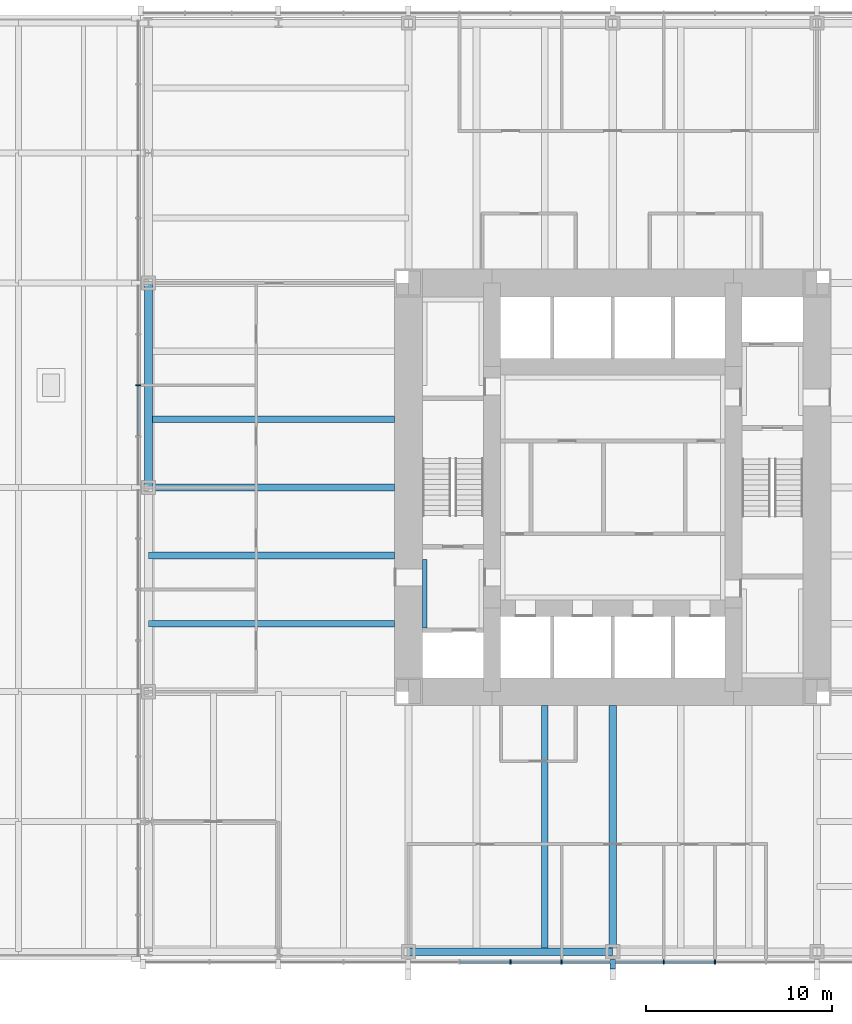
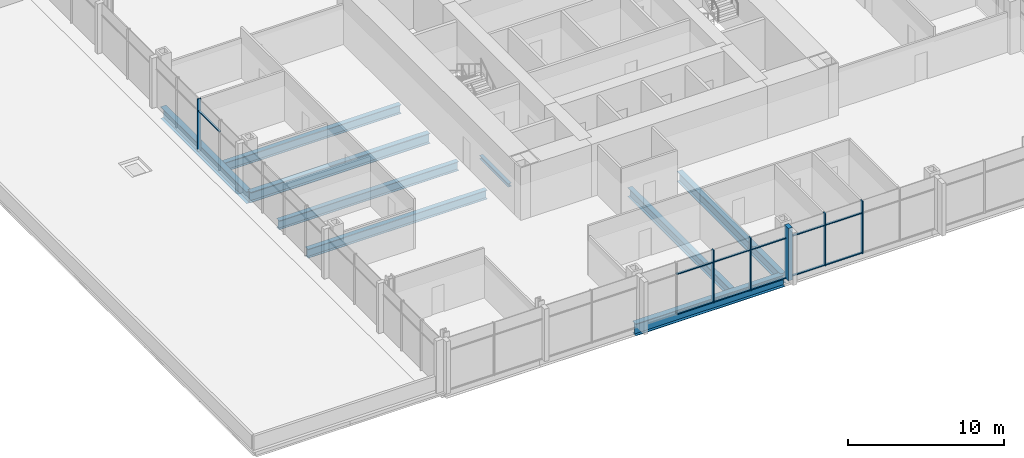
# One storey, part 3 of 15: 17 members, 9 beams, 2 elements without a shape of their own.
"""IFC4 building model written with IfcOpenShell, lengths in metres."""

from ifc_helpers import new_model, si_unit, direction, frame, origin, origin_2d, place, context, subcontext, project, spatial, rectangle, i_section, extrude, material, material_profile, profile_set, type_object, element, aggregate, save


model = new_model("IFC4")

# Units and contexts
model_context = context("Model", 3, precision=1e-05, world=origin(), true_north=direction((0.0, 1.0)))
body_context = subcontext(model_context, "Body", "Model", "MODEL_VIEW")
ifc_project = project(units=[si_unit("LENGTHUNIT", "METRE"), si_unit("AREAUNIT", "SQUARE_METRE"), si_unit("VOLUMEUNIT", "CUBIC_METRE"), si_unit("PLANEANGLEUNIT", "RADIAN"), si_unit("MASSUNIT", "GRAM", prefix="KILO")], contexts=[model_context])

# Site, building, storey
site_placement = place(None, origin())
site = spatial("IfcSite", under=ifc_project, at=site_placement, CompositionType="ELEMENT")
building_placement = place(site_placement, origin())
building = spatial("IfcBuilding", under=site, at=building_placement, Name="Trevanion Tower", CompositionType="ELEMENT")
storey_placement = place(building_placement, frame((0.0, 0.0, 16.0)))
storey = spatial("IfcBuildingStorey", under=building, at=storey_placement, Name="L03", CompositionType="ELEMENT", Elevation=16.0)

# Beams
ifc_material_1 = material(Name="Steel ASTM A992 Grade 50", Category="steel")
ifc_material_profile_1 = material_profile(ifc_material_1, i_section(OverallWidth=0.355712890625, OverallDepth=0.700927734375, WebThickness=0.016845703125, FlangeThickness=0.02734375, at=origin_2d()), Name="W27X161")
ifc_profile_set_1 = profile_set([ifc_material_profile_1], Name="Steel ASTM A992 Grade 50")
beam_type_1 = type_object("IfcBeamType", Name="B1 W27X161", PredefinedType="BEAM", material=ifc_profile_set_1)
for number, where, z_axis, x_axis, name in (
    (1, (-11.75, 3.666748046875, -0.54052734375), (-1.0, 0.0, 0.0), (0.0, -1.0, 0.0), "B1 L03"),
    (2, (-11.75, -3.666748046875, -0.54052734375), (-1.0, 0.0, 0.0), (0.0, -1.0, 0.0), "B1 L03"),
    (3, (-11.75, -7.333251953125, -0.54052734375), (-1.0, 0.0, 0.0), (0.0, -1.0, 0.0), "B1 L03"),
    (4, (-3.666748046875, -11.75, -0.54052734375), (0.0, -1.0, 0.0), (1.0, 0.0, 0.0), "B1 L03"),
):
    element("IfcBeam", number, at=place(storey_placement, frame(where, z_axis=z_axis, x_axis=x_axis)), inside=storey, type_object=beam_type_1, Name=name, PredefinedType="BEAM", context=body_context, shape_type="SweptSolid", body=[
        extrude(i_section(OverallWidth=0.355712890625, OverallDepth=0.700927734375, WebThickness=0.016845703125, FlangeThickness=0.02734375, at=origin_2d()), origin(), (0.0, 0.0, 1.0), 13.25),
    ])

# Curtain wall, member
ifc_material_2 = material(Name="Aluminium and glass", Category="aluminium")
curtain_wall_type = type_object("IfcCurtainWallType", Name="CW1 curtain wall", PredefinedType="USERDEFINED", material=ifc_material_2)
curtain_wall_1_placement = place(storey_placement, origin())
curtain_wall_1 = element("IfcCurtainWall", 5, at=curtain_wall_1_placement, inside=storey, type_object=curtain_wall_type, Name="CW1 L03 2", ObjectType="UNITISED CURTAIN WALL", PredefinedType="USERDEFINED")
ifc_material_3 = material(Name="Aluminium extrusion, anodised bronze", Category="aluminium")
ifc_material_profile_2 = material_profile(ifc_material_3, rectangle(XDim=0.074951171875, YDim=0.25, at=origin_2d()), Name="CW1 mullion")
ifc_profile_set_2 = profile_set([ifc_material_profile_2], Name="Aluminium extrusion, anodised bronze")
member_type_1 = type_object("IfcMemberType", Name="CW1 mullion", PredefinedType="MULLION", material=ifc_profile_set_2)
member_1_placement = place(storey_placement, frame((-25.550048828125, 5.5, -0.18994140625), z_axis=(0.0, 0.0, 1.0), x_axis=(0.0, -1.0, 0.0)))
member_1 = element("IfcMember", 6, at=member_1_placement, type_object=member_type_1, Name="CW1 mullion 7", PredefinedType="MULLION", context=body_context, shape_type="SweptSolid", body=[
    extrude(rectangle(XDim=0.074951171875, YDim=0.25, at=origin_2d()), origin(), (0.0, 0.0, 1.0), 4.099853515625),
])

# Curtain wall, members
curtain_wall_2_placement = place(storey_placement, origin())
curtain_wall_2 = element("IfcCurtainWall", 7, at=curtain_wall_2_placement, inside=storey, type_object=curtain_wall_type, Name="CW1 L03 3", ObjectType="UNITISED CURTAIN WALL", PredefinedType="USERDEFINED")
member_2_placement = place(storey_placement, frame((-5.5, -25.550048828125, -0.18994140625), z_axis=(0.0, 0.0, 1.0), x_axis=(1.0, 0.0, 0.0)))
member_2 = element("IfcMember", 8, at=member_2_placement, type_object=member_type_1, Name="CW1 mullion 7", PredefinedType="MULLION", context=body_context, shape_type="SweptSolid", body=[
    extrude(rectangle(XDim=0.074951171875, YDim=0.25, at=origin_2d()), origin(), (0.0, 0.0, 1.0), 4.099853515625),
])
member_3_placement = place(storey_placement, frame((-2.75, -25.550048828125, -0.18994140625), z_axis=(0.0, 0.0, 1.0), x_axis=(1.0, 0.0, 0.0)))
member_3 = element("IfcMember", 9, at=member_3_placement, type_object=member_type_1, Name="CW1 mullion 8", PredefinedType="MULLION", context=body_context, shape_type="SweptSolid", body=[
    extrude(rectangle(XDim=0.074951171875, YDim=0.25, at=origin_2d()), origin(), (0.0, 0.0, 1.0), 4.099853515625),
])
member_4_placement = place(storey_placement, frame((2.75, -25.550048828125, -0.18994140625), z_axis=(0.0, 0.0, 1.0), x_axis=(1.0, 0.0, 0.0)))
member_4 = element("IfcMember", 10, at=member_4_placement, type_object=member_type_1, Name="CW1 mullion 10", PredefinedType="MULLION", context=body_context, shape_type="SweptSolid", body=[
    extrude(rectangle(XDim=0.074951171875, YDim=0.25, at=origin_2d()), origin(), (0.0, 0.0, 1.0), 4.099853515625),
])
member_5_placement = place(storey_placement, frame((5.5, -25.550048828125, -0.18994140625), z_axis=(0.0, 0.0, 1.0), x_axis=(1.0, 0.0, 0.0)))
member_5 = element("IfcMember", 11, at=member_5_placement, type_object=member_type_1, Name="CW1 mullion 11", PredefinedType="MULLION", context=body_context, shape_type="SweptSolid", body=[
    extrude(rectangle(XDim=0.074951171875, YDim=0.25, at=origin_2d()), origin(), (0.0, 0.0, 1.0), 4.099853515625),
])
ifc_material_4 = material(Name="Aluminium extrusion, anodised bronze", Category="aluminium")
ifc_material_profile_3 = material_profile(ifc_material_4, rectangle(XDim=0.300048828125, YDim=0.5, at=origin_2d()), Name="CW1 pier mullion")
ifc_profile_set_3 = profile_set([ifc_material_profile_3], Name="Aluminium extrusion, anodised bronze")
member_type_2 = type_object("IfcMemberType", Name="CW1 pier mullion", PredefinedType="MULLION", material=ifc_profile_set_3)
member_6_placement = place(storey_placement, frame((0.0, -25.675048828125, -0.18994140625), z_axis=(0.0, 0.0, 1.0), x_axis=(1.0, 0.0, 0.0)))
member_6 = element("IfcMember", 12, at=member_6_placement, type_object=member_type_2, Name="CW1 pier mullion 9", PredefinedType="MULLION", context=body_context, shape_type="SweptSolid", body=[
    extrude(rectangle(XDim=0.300048828125, YDim=0.5, at=origin_2d()), origin(), (0.0, 0.0, 1.0), 4.099853515625),
])

# Member
ifc_material_5 = material(Name="Aluminium extrusion, anodised bronze", Category="aluminium")
ifc_material_profile_4 = material_profile(ifc_material_5, rectangle(XDim=0.14990234375, YDim=0.074951171875, at=origin_2d()), Name="CW1 transom")
ifc_profile_set_4 = profile_set([ifc_material_profile_4], Name="Aluminium extrusion, anodised bronze")
member_type_3 = type_object("IfcMemberType", Name="CW1 transom", PredefinedType="USERDEFINED", material=ifc_profile_set_4)
member_7_placement = place(storey_placement, frame((-25.550048828125, 5.46240234375, 2.9599609375), z_axis=(0.0, -1.0, 0.0), x_axis=(1.0, 0.0, 0.0)))
member_7 = element("IfcMember", 13, at=member_7_placement, type_object=member_type_3, Name="CW1 transom 7.2", ObjectType="TRANSOM", PredefinedType="USERDEFINED", context=body_context, shape_type="SweptSolid", body=[
    extrude(rectangle(XDim=0.14990234375, YDim=0.074951171875, at=origin_2d()), origin(), (0.0, 0.0, 1.0), 2.6748046875),
])

aggregate(curtain_wall_1, [member_1, member_7])

member_8_placement = place(storey_placement, frame((-8.21240234375, -25.550048828125, -0.152587890625), z_axis=(1.0, 0.0, 0.0), x_axis=(0.0, 1.0, 0.0)))
member_8 = element("IfcMember", 14, at=member_8_placement, type_object=member_type_3, Name="CW1 transom 6.1", ObjectType="TRANSOM", PredefinedType="USERDEFINED", context=body_context, shape_type="SweptSolid", body=[
    extrude(rectangle(XDim=0.14990234375, YDim=0.074951171875, at=origin_2d()), origin(), (0.0, 0.0, 1.0), 2.6748046875),
])

member_9_placement = place(storey_placement, frame((-8.21240234375, -25.550048828125, 2.9599609375), z_axis=(1.0, 0.0, 0.0), x_axis=(0.0, 1.0, 0.0)))
member_9 = element("IfcMember", 15, at=member_9_placement, type_object=member_type_3, Name="CW1 transom 6.2", ObjectType="TRANSOM", PredefinedType="USERDEFINED", context=body_context, shape_type="SweptSolid", body=[
    extrude(rectangle(XDim=0.14990234375, YDim=0.074951171875, at=origin_2d()), origin(), (0.0, 0.0, 1.0), 2.6748046875),
])

member_10_placement = place(storey_placement, frame((-5.46240234375, -25.550048828125, -0.152587890625), z_axis=(1.0, 0.0, 0.0), x_axis=(0.0, 1.0, 0.0)))
member_10 = element("IfcMember", 16, at=member_10_placement, type_object=member_type_3, Name="CW1 transom 7.1", ObjectType="TRANSOM", PredefinedType="USERDEFINED", context=body_context, shape_type="SweptSolid", body=[
    extrude(rectangle(XDim=0.14990234375, YDim=0.074951171875, at=origin_2d()), origin(), (0.0, 0.0, 1.0), 2.6748046875),
])

member_11_placement = place(storey_placement, frame((-5.46240234375, -25.550048828125, 2.9599609375), z_axis=(1.0, 0.0, 0.0), x_axis=(0.0, 1.0, 0.0)))
member_11 = element("IfcMember", 17, at=member_11_placement, type_object=member_type_3, Name="CW1 transom 7.2", ObjectType="TRANSOM", PredefinedType="USERDEFINED", context=body_context, shape_type="SweptSolid", body=[
    extrude(rectangle(XDim=0.14990234375, YDim=0.074951171875, at=origin_2d()), origin(), (0.0, 0.0, 1.0), 2.6748046875),
])

member_12_placement = place(storey_placement, frame((-2.71240234375, -25.550048828125, -0.152587890625), z_axis=(1.0, 0.0, 0.0), x_axis=(0.0, 1.0, 0.0)))
member_12 = element("IfcMember", 18, at=member_12_placement, type_object=member_type_3, Name="CW1 transom 8.1", ObjectType="TRANSOM", PredefinedType="USERDEFINED", context=body_context, shape_type="SweptSolid", body=[
    extrude(rectangle(XDim=0.14990234375, YDim=0.074951171875, at=origin_2d()), origin(), (0.0, 0.0, 1.0), 2.5625),
])

member_13_placement = place(storey_placement, frame((-2.71240234375, -25.550048828125, 2.9599609375), z_axis=(1.0, 0.0, 0.0), x_axis=(0.0, 1.0, 0.0)))
member_13 = element("IfcMember", 19, at=member_13_placement, type_object=member_type_3, Name="CW1 transom 8.2", ObjectType="TRANSOM", PredefinedType="USERDEFINED", context=body_context, shape_type="SweptSolid", body=[
    extrude(rectangle(XDim=0.14990234375, YDim=0.074951171875, at=origin_2d()), origin(), (0.0, 0.0, 1.0), 2.5625),
])

member_14_placement = place(storey_placement, frame((0.14990234375, -25.550048828125, -0.152587890625), z_axis=(1.0, 0.0, 0.0), x_axis=(0.0, 1.0, 0.0)))
member_14 = element("IfcMember", 20, at=member_14_placement, type_object=member_type_3, Name="CW1 transom 9.1", ObjectType="TRANSOM", PredefinedType="USERDEFINED", context=body_context, shape_type="SweptSolid", body=[
    extrude(rectangle(XDim=0.14990234375, YDim=0.074951171875, at=origin_2d()), origin(), (0.0, 0.0, 1.0), 2.5625),
])

member_15_placement = place(storey_placement, frame((0.14990234375, -25.550048828125, 2.9599609375), z_axis=(1.0, 0.0, 0.0), x_axis=(0.0, 1.0, 0.0)))
member_15 = element("IfcMember", 21, at=member_15_placement, type_object=member_type_3, Name="CW1 transom 9.2", ObjectType="TRANSOM", PredefinedType="USERDEFINED", context=body_context, shape_type="SweptSolid", body=[
    extrude(rectangle(XDim=0.14990234375, YDim=0.074951171875, at=origin_2d()), origin(), (0.0, 0.0, 1.0), 2.5625),
])

member_16_placement = place(storey_placement, frame((2.78759765625, -25.550048828125, -0.152587890625), z_axis=(1.0, 0.0, 0.0), x_axis=(0.0, 1.0, 0.0)))
member_16 = element("IfcMember", 22, at=member_16_placement, type_object=member_type_3, Name="CW1 transom 10.1", ObjectType="TRANSOM", PredefinedType="USERDEFINED", context=body_context, shape_type="SweptSolid", body=[
    extrude(rectangle(XDim=0.14990234375, YDim=0.074951171875, at=origin_2d()), origin(), (0.0, 0.0, 1.0), 2.6748046875),
])

member_17_placement = place(storey_placement, frame((2.78759765625, -25.550048828125, 2.9599609375), z_axis=(1.0, 0.0, 0.0), x_axis=(0.0, 1.0, 0.0)))
member_17 = element("IfcMember", 23, at=member_17_placement, type_object=member_type_3, Name="CW1 transom 10.2", ObjectType="TRANSOM", PredefinedType="USERDEFINED", context=body_context, shape_type="SweptSolid", body=[
    extrude(rectangle(XDim=0.14990234375, YDim=0.074951171875, at=origin_2d()), origin(), (0.0, 0.0, 1.0), 2.6748046875),
])

aggregate(curtain_wall_2, [member_2, member_3, member_6, member_4, member_5, member_8, member_9, member_10, member_11, member_12, member_13, member_14, member_15, member_16, member_17])

# Beams
ifc_material_6 = material(Name="Steel ASTM A992 Grade 50", Category="steel")
ifc_material_profile_5 = material_profile(ifc_material_6, i_section(OverallWidth=0.385986328125, OverallDepth=0.802734375, WebThickness=0.023681640625, FlangeThickness=0.0419921875, at=origin_2d()), Name="W30X261")
ifc_profile_set_5 = profile_set([ifc_material_profile_5], Name="Steel ASTM A992 Grade 50")
beam_type_2 = type_object("IfcBeamType", Name="G1 W30X261", PredefinedType="BEAM", material=ifc_profile_set_5)
for number, where, z_axis, x_axis, name in (
    (24, (-11.75, 0.0, -0.59130859375), (-1.0, 0.0, 0.0), (0.0, -1.0, 0.0), "G1 L03"),
    (25, (0.0, -11.75, -0.59130859375), (0.0, -1.0, 0.0), (1.0, 0.0, 0.0), "G1 L03"),
):
    element("IfcBeam", number, at=place(storey_placement, frame(where, z_axis=z_axis, x_axis=x_axis)), inside=storey, type_object=beam_type_2, Name=name, PredefinedType="BEAM", context=body_context, shape_type="SweptSolid", body=[
        extrude(i_section(OverallWidth=0.385986328125, OverallDepth=0.802734375, WebThickness=0.023681640625, FlangeThickness=0.0419921875, at=origin_2d()), origin(), (0.0, 0.0, 1.0), 13.25),
    ])
ifc_material_7 = material(Name="Steel ASTM A992 Grade 50", Category="steel")
ifc_material_profile_6 = material_profile(ifc_material_7, i_section(OverallWidth=0.256591796875, OverallDepth=0.26416015625, WebThickness=0.011962890625, FlangeThickness=0.01953125, at=origin_2d()), Name="W10X68")
ifc_profile_set_6 = profile_set([ifc_material_profile_6], Name="Steel ASTM A992 Grade 50")
beam_type_3 = type_object("IfcBeamType", Name="LB1 W10X68", PredefinedType="BEAM", material=ifc_profile_set_6)
beam_placement = place(storey_placement, frame((-10.12158203125, -7.574951171875, -0.33203125), z_axis=(0.0, 1.0, 0.0), x_axis=(-1.0, 0.0, 0.0)))
element("IfcBeam", 26, at=beam_placement, inside=storey, type_object=beam_type_3, Name="LB1 L03", PredefinedType="BEAM", context=body_context, shape_type="SweptSolid", body=[
    extrude(i_section(OverallWidth=0.256591796875, OverallDepth=0.26416015625, WebThickness=0.011962890625, FlangeThickness=0.01953125, at=origin_2d()), origin(), (0.0, 0.0, 1.0), 3.699951171875),
])
ifc_material_8 = material(Name="Steel ASTM A992 Grade 50", Category="steel")
ifc_material_profile_7 = material_profile(ifc_material_8, i_section(OverallWidth=0.419189453125, OverallDepth=0.927001953125, WebThickness=0.019287109375, FlangeThickness=0.031982421875, at=origin_2d()), Name="W36X231")
ifc_profile_set_7 = profile_set([ifc_material_profile_7], Name="Steel ASTM A992 Grade 50")
beam_type_4 = type_object("IfcBeamType", Name="SB1 W36X231", PredefinedType="SPANDREL", material=ifc_profile_set_7)
for number, where, z_axis, x_axis, name in (
    (27, (-25.0, 11.0, -0.653564453125), (0.0, -1.0, 0.0), (1.0, 0.0, 0.0), "SB1 L03"),
    (28, (-11.0, -25.0, -0.653564453125), (1.0, 0.0, 0.0), (0.0, 1.0, 0.0), "SB1 L03"),
):
    element("IfcBeam", number, at=place(storey_placement, frame(where, z_axis=z_axis, x_axis=x_axis)), inside=storey, type_object=beam_type_4, Name=name, PredefinedType="SPANDREL", context=body_context, shape_type="SweptSolid", body=[
        extrude(i_section(OverallWidth=0.419189453125, OverallDepth=0.927001953125, WebThickness=0.019287109375, FlangeThickness=0.031982421875, at=origin_2d()), origin(), (0.0, 0.0, 1.0), 11.0),
    ])

save(model, "model.ifc")
